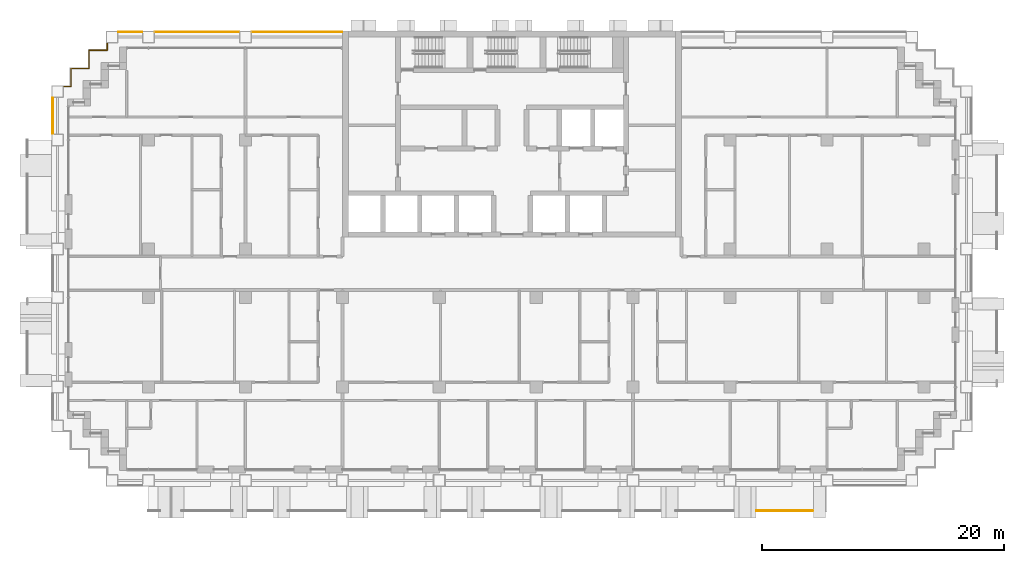
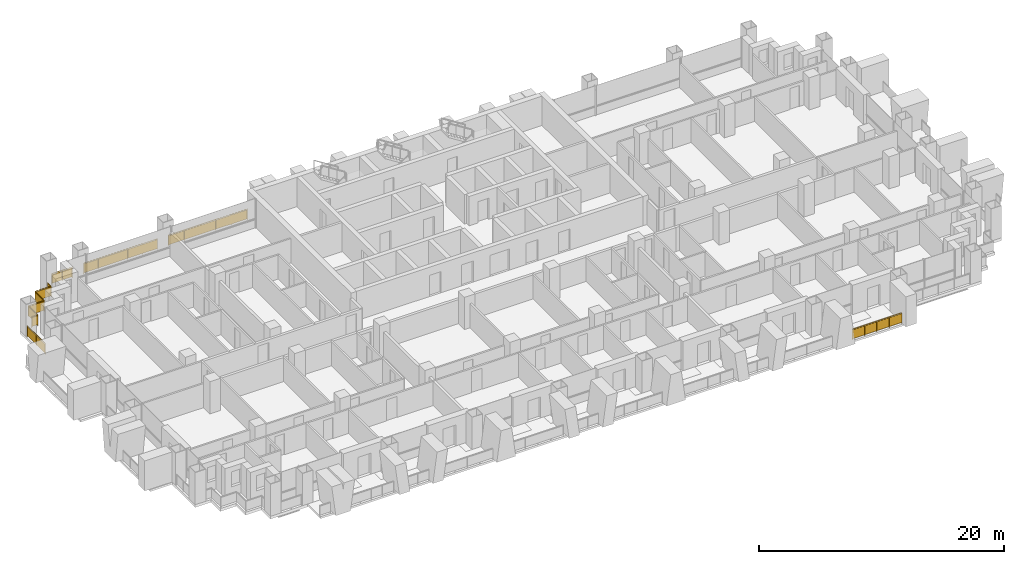
# One storey, part 16 of 18: 6 railings.
"""IFC4 building model written with IfcOpenShell, lengths in metres."""

from ifc_helpers import new_model, si_unit, direction, frame, origin, origin_2d, place, context, subcontext, project, spatial, rectangle, circle, extrude, material, type_object, element, save


model = new_model("IFC4")

# Units and contexts
model_context = context("Model", 3, precision=1e-05, world=origin(), true_north=direction((0.0, 1.0)))
body_context = subcontext(model_context, "Body", "Model", "MODEL_VIEW")
ifc_project = project(units=[si_unit("LENGTHUNIT", "METRE"), si_unit("AREAUNIT", "SQUARE_METRE"), si_unit("VOLUMEUNIT", "CUBIC_METRE"), si_unit("PLANEANGLEUNIT", "RADIAN"), si_unit("MASSUNIT", "GRAM", prefix="KILO")], contexts=[model_context])

# Site, building, storey
site_placement = place(None, origin())
site = spatial("IfcSite", under=ifc_project, at=site_placement, CompositionType="ELEMENT")
building_placement = place(site_placement, origin())
building = spatial("IfcBuilding", under=site, at=building_placement, Name="Vidyagriha Tower", CompositionType="ELEMENT")
storey_placement = place(building_placement, frame((0.0, 0.0, 54.39990234375)))
storey = spatial("IfcBuildingStorey", under=building, at=storey_placement, Name="L14", CompositionType="ELEMENT", Elevation=54.39990234375)

# Railings
ifc_material_1 = material(Name="Steel ASTM A500 Grade C black painted", Category="steel")
railing_type_1 = type_object("IfcRailingType", Name="Balcony guard 1100", PredefinedType="BALUSTRADE", material=ifc_material_1)
railing_1_placement = place(storey_placement, frame((20.169921875, -19.60009765625, 0.0)))
element("IfcRailing", 1, at=railing_1_placement, inside=storey, type_object=railing_type_1, Name="Balcony guard L14 R23.1-11", PredefinedType="BALUSTRADE", context=body_context, shape_type="SweptSolid", body=[
    extrude(circle(Radius=0.02490234375, at=origin_2d()), frame((0.0, 0.0, 1.0751953125), z_axis=(1.0, 0.0, 0.0), x_axis=(0.0, 1.0, 0.0)), (0.0, 0.0, 1.0), 4.655029296875),
    extrude(circle(Radius=0.02001953125, at=origin_2d()), origin(), (0.0, 0.0, 1.0), 1.050048828125),
    extrude(circle(Radius=0.02001953125, at=origin_2d()), frame((1.163818359375, 0.0, 0.0)), (0.0, 0.0, 1.0), 1.050048828125),
    extrude(circle(Radius=0.02001953125, at=origin_2d()), frame((2.32763671875, 0.0, 0.0)), (0.0, 0.0, 1.0), 1.050048828125),
    extrude(circle(Radius=0.02001953125, at=origin_2d()), frame((3.4912109375, 0.0, 0.0)), (0.0, 0.0, 1.0), 1.050048828125),
    extrude(circle(Radius=0.02001953125, at=origin_2d()), frame((4.655029296875, 0.0, 0.0)), (0.0, 0.0, 1.0), 1.050048828125),
    extrude(rectangle(XDim=0.010009765625, YDim=0.900146484375, at=origin_2d()), frame((0.0, 0.0, 0.550048828125), z_axis=(1.0, 0.0, 0.0), x_axis=(0.0, 1.0, 0.0)), (0.0, 0.0, 1.0), 4.655029296875),
])
ifc_material_2 = material(Name="Steel ASTM A500 Grade C black painted", Category="steel")
railing_type_2 = type_object("IfcRailingType", Name="Gallery guard 1100", PredefinedType="GUARDRAIL", material=ifc_material_2)
railing_2_placement = place(storey_placement, frame((-37.89990234375, 11.530029296875, 0.0)))
element("IfcRailing", 2, at=railing_2_placement, inside=storey, type_object=railing_type_2, Name="Gallery guard L14 3", PredefinedType="GUARDRAIL", context=body_context, shape_type="SweptSolid", body=[
    extrude(circle(Radius=0.02490234375, at=origin_2d()), frame((0.0, 0.0, 1.0751953125), z_axis=(0.0, 1.0, 0.0), x_axis=(-1.0, 0.0, 0.0)), (0.0, 0.0, 1.0), 2.93994140625),
    extrude(circle(Radius=0.02001953125, at=origin_2d()), origin(), (0.0, 0.0, 1.0), 1.050048828125),
    extrude(circle(Radius=0.02001953125, at=origin_2d()), frame((0.0, 1.469970703125, 0.0)), (0.0, 0.0, 1.0), 1.050048828125),
    extrude(circle(Radius=0.02001953125, at=origin_2d()), frame((0.0, 2.93994140625, 0.0)), (0.0, 0.0, 1.0), 1.050048828125),
    extrude(rectangle(XDim=0.010009765625, YDim=0.900146484375, at=origin_2d()), frame((0.0, 0.0, 0.550048828125), z_axis=(0.0, 1.0, 0.0), x_axis=(-1.0, 0.0, 0.0)), (0.0, 0.0, 1.0), 2.93994140625),
])
railing_3_placement = place(storey_placement, frame((-36.969970703125, 15.39990234375, 0.0)))
element("IfcRailing", 3, at=railing_3_placement, inside=storey, type_object=railing_type_2, Name="Gallery guard L14 5", PredefinedType="GUARDRAIL", context=body_context, shape_type="SweptSolid", body=[
    extrude(circle(Radius=0.02490234375, at=origin_2d()), frame((0.0, 0.0, 1.0751953125), z_axis=(1.0, 0.0, 0.0), x_axis=(0.0, 1.0, 0.0)), (0.0, 0.0, 1.0), 0.570068359375),
    extrude(circle(Radius=0.02490234375, at=origin_2d()), frame((0.570068359375, 0.0, 1.0751953125), z_axis=(0.0, 1.0, 0.0), x_axis=(-1.0, 0.0, 0.0)), (0.0, 0.0, 1.0), 1.5),
    extrude(circle(Radius=0.02490234375, at=origin_2d()), frame((0.570068359375, 1.5, 1.0751953125), z_axis=(1.0, 0.0, 0.0), x_axis=(0.0, 1.0, 0.0)), (0.0, 0.0, 1.0), 1.5),
    extrude(circle(Radius=0.02490234375, at=origin_2d()), frame((2.070068359375, 1.5, 1.0751953125), z_axis=(0.0, 1.0, 0.0), x_axis=(-1.0, 0.0, 0.0)), (0.0, 0.0, 1.0), 1.5),
    extrude(circle(Radius=0.02490234375, at=origin_2d()), frame((2.070068359375, 3.0, 1.0751953125), z_axis=(1.0, 0.0, 0.0), x_axis=(0.0, 1.0, 0.0)), (0.0, 0.0, 1.0), 1.5),
    extrude(circle(Radius=0.02490234375, at=origin_2d()), frame((3.570068359375, 3.0, 1.0751953125), z_axis=(0.0, 1.0, 0.0), x_axis=(-1.0, 0.0, 0.0)), (0.0, 0.0, 1.0), 0.570068359375),
    extrude(circle(Radius=0.02001953125, at=origin_2d()), origin(), (0.0, 0.0, 1.0), 1.050048828125),
    extrude(circle(Radius=0.02001953125, at=origin_2d()), frame((0.570068359375, 0.0, 0.0)), (0.0, 0.0, 1.0), 1.050048828125),
    extrude(circle(Radius=0.02001953125, at=origin_2d()), frame((0.570068359375, 1.5, 0.0)), (0.0, 0.0, 1.0), 1.050048828125),
    extrude(circle(Radius=0.02001953125, at=origin_2d()), frame((2.070068359375, 1.5, 0.0)), (0.0, 0.0, 1.0), 1.050048828125),
    extrude(circle(Radius=0.02001953125, at=origin_2d()), frame((2.070068359375, 3.0, 0.0)), (0.0, 0.0, 1.0), 1.050048828125),
    extrude(circle(Radius=0.02001953125, at=origin_2d()), frame((3.570068359375, 3.0, 0.0)), (0.0, 0.0, 1.0), 1.050048828125),
    extrude(circle(Radius=0.02001953125, at=origin_2d()), frame((3.570068359375, 3.570068359375, 0.0)), (0.0, 0.0, 1.0), 1.050048828125),
    extrude(rectangle(XDim=0.010009765625, YDim=0.900146484375, at=origin_2d()), frame((0.0, 0.0, 0.550048828125), z_axis=(1.0, 0.0, 0.0), x_axis=(0.0, 1.0, 0.0)), (0.0, 0.0, 1.0), 0.570068359375),
    extrude(rectangle(XDim=0.010009765625, YDim=0.900146484375, at=origin_2d()), frame((0.570068359375, 0.0, 0.550048828125), z_axis=(0.0, 1.0, 0.0), x_axis=(-1.0, 0.0, 0.0)), (0.0, 0.0, 1.0), 1.5),
    extrude(rectangle(XDim=0.010009765625, YDim=0.900146484375, at=origin_2d()), frame((0.570068359375, 1.5, 0.550048828125), z_axis=(1.0, 0.0, 0.0), x_axis=(0.0, 1.0, 0.0)), (0.0, 0.0, 1.0), 1.5),
    extrude(rectangle(XDim=0.010009765625, YDim=0.900146484375, at=origin_2d()), frame((2.070068359375, 1.5, 0.550048828125), z_axis=(0.0, 1.0, 0.0), x_axis=(-1.0, 0.0, 0.0)), (0.0, 0.0, 1.0), 1.5),
    extrude(rectangle(XDim=0.010009765625, YDim=0.900146484375, at=origin_2d()), frame((2.070068359375, 3.0, 0.550048828125), z_axis=(1.0, 0.0, 0.0), x_axis=(0.0, 1.0, 0.0)), (0.0, 0.0, 1.0), 1.5),
    extrude(rectangle(XDim=0.010009765625, YDim=0.900146484375, at=origin_2d()), frame((3.570068359375, 3.0, 0.550048828125), z_axis=(0.0, 1.0, 0.0), x_axis=(-1.0, 0.0, 0.0)), (0.0, 0.0, 1.0), 0.570068359375),
])
railing_4_placement = place(storey_placement, frame((-32.469970703125, 19.89990234375, 0.0)))
element("IfcRailing", 4, at=railing_4_placement, inside=storey, type_object=railing_type_2, Name="Gallery guard L14 7", PredefinedType="GUARDRAIL", context=body_context, shape_type="SweptSolid", body=[
    extrude(circle(Radius=0.02490234375, at=origin_2d()), frame((0.0, 0.0, 1.0751953125), z_axis=(1.0, 0.0, 0.0), x_axis=(0.0, 1.0, 0.0)), (0.0, 0.0, 1.0), 1.93994140625),
    extrude(circle(Radius=0.02001953125, at=origin_2d()), origin(), (0.0, 0.0, 1.0), 1.050048828125),
    extrude(circle(Radius=0.02001953125, at=origin_2d()), frame((0.969970703125, 0.0, 0.0)), (0.0, 0.0, 1.0), 1.050048828125),
    extrude(circle(Radius=0.02001953125, at=origin_2d()), frame((1.93994140625, 0.0, 0.0)), (0.0, 0.0, 1.0), 1.050048828125),
    extrude(rectangle(XDim=0.010009765625, YDim=0.900146484375, at=origin_2d()), frame((0.0, 0.0, 0.550048828125), z_axis=(1.0, 0.0, 0.0), x_axis=(0.0, 1.0, 0.0)), (0.0, 0.0, 1.0), 1.93994140625),
])
railing_5_placement = place(storey_placement, frame((-29.469970703125, 19.89990234375, 0.0)))
element("IfcRailing", 5, at=railing_5_placement, inside=storey, type_object=railing_type_2, Name="Gallery guard L14 8", PredefinedType="GUARDRAIL", context=body_context, shape_type="SweptSolid", body=[
    extrude(circle(Radius=0.02490234375, at=origin_2d()), frame((0.0, 0.0, 1.0751953125), z_axis=(1.0, 0.0, 0.0), x_axis=(0.0, 1.0, 0.0)), (0.0, 0.0, 1.0), 6.93994140625),
    extrude(circle(Radius=0.02001953125, at=origin_2d()), origin(), (0.0, 0.0, 1.0), 1.050048828125),
    extrude(circle(Radius=0.02001953125, at=origin_2d()), frame((1.387939453125, 0.0, 0.0)), (0.0, 0.0, 1.0), 1.050048828125),
    extrude(circle(Radius=0.02001953125, at=origin_2d()), frame((2.77587890625, 0.0, 0.0)), (0.0, 0.0, 1.0), 1.050048828125),
    extrude(circle(Radius=0.02001953125, at=origin_2d()), frame((4.1640625, 0.0, 0.0)), (0.0, 0.0, 1.0), 1.050048828125),
    extrude(circle(Radius=0.02001953125, at=origin_2d()), frame((5.552001953125, 0.0, 0.0)), (0.0, 0.0, 1.0), 1.050048828125),
    extrude(circle(Radius=0.02001953125, at=origin_2d()), frame((6.93994140625, 0.0, 0.0)), (0.0, 0.0, 1.0), 1.050048828125),
    extrude(rectangle(XDim=0.010009765625, YDim=0.900146484375, at=origin_2d()), frame((0.0, 0.0, 0.550048828125), z_axis=(1.0, 0.0, 0.0), x_axis=(0.0, 1.0, 0.0)), (0.0, 0.0, 1.0), 6.93994140625),
])
railing_6_placement = place(storey_placement, frame((-21.469970703125, 19.89990234375, 0.0)))
element("IfcRailing", 6, at=railing_6_placement, inside=storey, type_object=railing_type_2, Name="Gallery guard L14 9", PredefinedType="GUARDRAIL", context=body_context, shape_type="SweptSolid", body=[
    extrude(circle(Radius=0.02490234375, at=origin_2d()), frame((0.0, 0.0, 1.0751953125), z_axis=(1.0, 0.0, 0.0), x_axis=(0.0, 1.0, 0.0)), (0.0, 0.0, 1.0), 7.43994140625),
    extrude(circle(Radius=0.02001953125, at=origin_2d()), origin(), (0.0, 0.0, 1.0), 1.050048828125),
    extrude(circle(Radius=0.02001953125, at=origin_2d()), frame((1.488037109375, 0.0, 0.0)), (0.0, 0.0, 1.0), 1.050048828125),
    extrude(circle(Radius=0.02001953125, at=origin_2d()), frame((2.97607421875, 0.0, 0.0)), (0.0, 0.0, 1.0), 1.050048828125),
    extrude(circle(Radius=0.02001953125, at=origin_2d()), frame((4.4638671875, 0.0, 0.0)), (0.0, 0.0, 1.0), 1.050048828125),
    extrude(circle(Radius=0.02001953125, at=origin_2d()), frame((5.951904296875, 0.0, 0.0)), (0.0, 0.0, 1.0), 1.050048828125),
    extrude(circle(Radius=0.02001953125, at=origin_2d()), frame((7.43994140625, 0.0, 0.0)), (0.0, 0.0, 1.0), 1.050048828125),
    extrude(rectangle(XDim=0.010009765625, YDim=0.900146484375, at=origin_2d()), frame((0.0, 0.0, 0.550048828125), z_axis=(1.0, 0.0, 0.0), x_axis=(0.0, 1.0, 0.0)), (0.0, 0.0, 1.0), 7.43994140625),
])

save(model, "model.ifc")
